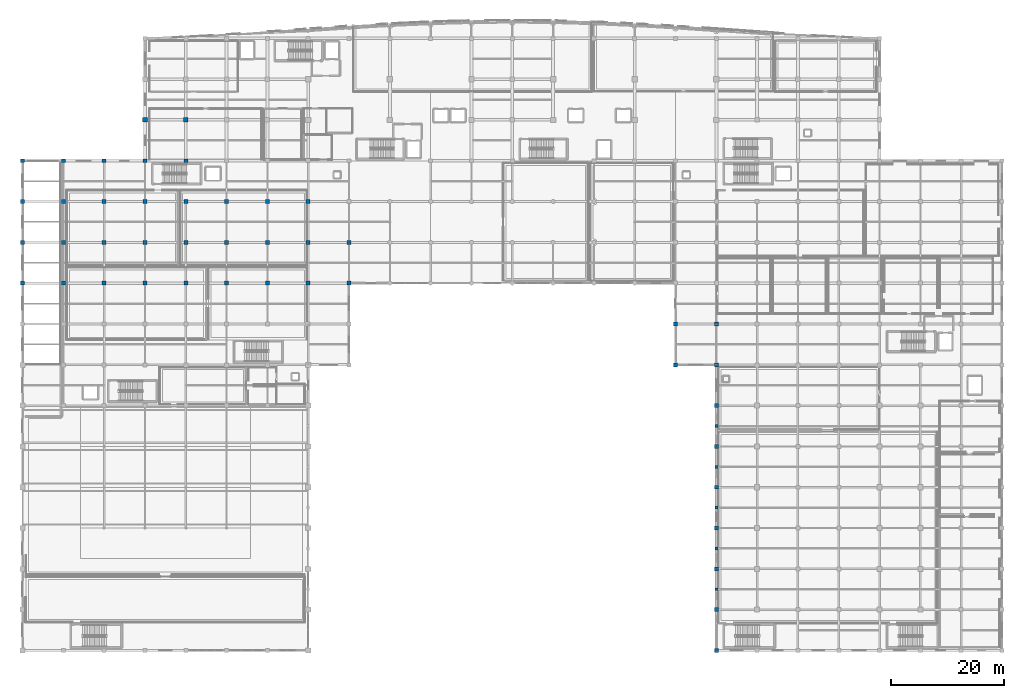
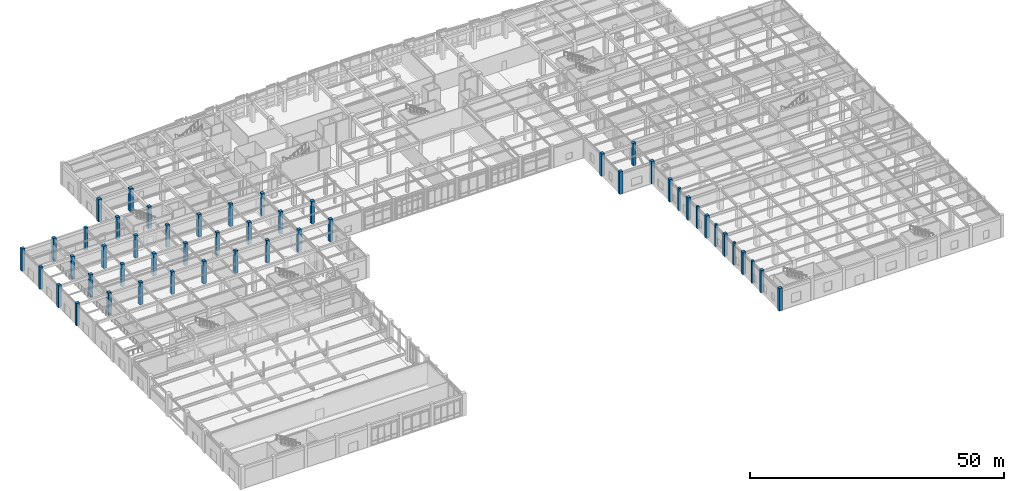
# One storey, part 6 of 102: 49 columns.
"""IFC4 building model written with IfcOpenShell, lengths in metres."""

from ifc_helpers import new_model, si_unit, direction, frame, origin, origin_2d, place, context, subcontext, project, spatial, rectangle, extrude, material, material_profile, profile_set, type_object, element, save


model = new_model("IFC4")

# Units and contexts
model_context = context("Model", 3, precision=1e-05, world=origin(), true_north=direction((0.0, 1.0)))
body_context = subcontext(model_context, "Body", "Model", "MODEL_VIEW")
ifc_project = project(units=[si_unit("LENGTHUNIT", "METRE"), si_unit("AREAUNIT", "SQUARE_METRE"), si_unit("VOLUMEUNIT", "CUBIC_METRE"), si_unit("PLANEANGLEUNIT", "RADIAN"), si_unit("MASSUNIT", "GRAM", prefix="KILO")], contexts=[model_context])

# Site, building, storey
site_placement = place(None, origin())
site = spatial("IfcSite", under=ifc_project, at=site_placement, CompositionType="ELEMENT")
building_placement = place(site_placement, origin())
building = spatial("IfcBuilding", under=site, at=building_placement, Name="Carrowvane Square Congress Hotel", CompositionType="ELEMENT")
storey_placement = place(building_placement, origin())
storey = spatial("IfcBuildingStorey", under=building, at=storey_placement, Name="L00", CompositionType="ELEMENT", Elevation=0.0)

# Columns
ifc_material_1 = material(Name="Concrete C40/50", Category="concrete")
ifc_material_profile_1 = material_profile(ifc_material_1, rectangle(XDim=0.699951171875, YDim=0.699951171875, at=origin_2d()), Name="RC 700x700")
ifc_profile_set_1 = profile_set([ifc_material_profile_1], Name="Concrete C40/50")
column_type_1 = type_object("IfcColumnType", Name="COL-RC-700", PredefinedType="COLUMN", material=ifc_profile_set_1)
for number, where, z_axis, x_axis, name in (
    (1, (11.60009765625, 70.199951171875, 0.0), (0.0, 0.0, 1.0), (1.0, 0.0, 0.0), "L00 column 1/K"),
    (2, (11.60009765625, 77.39990234375, 0.0), (0.0, 0.0, 1.0), (1.0, 0.0, 0.0), "L00 column 1/L"),
    (3, (11.60009765625, 84.60009765625, 0.0), (0.0, 0.0, 1.0), (1.0, 0.0, 0.0), "L00 column 1/M"),
    (4, (11.60009765625, 91.800048828125, 0.0), (0.0, 0.0, 1.0), (1.0, 0.0, 0.0), "L00 column 1/N"),
    (5, (18.800048828125, 70.199951171875, 0.0), (0.0, 0.0, 1.0), (1.0, 0.0, 0.0), "L00 column 2/K"),
    (6, (18.800048828125, 77.39990234375, 0.0), (0.0, 0.0, 1.0), (1.0, 0.0, 0.0), "L00 column 2/L"),
    (7, (18.800048828125, 84.60009765625, 0.0), (0.0, 0.0, 1.0), (1.0, 0.0, 0.0), "L00 column 2/M"),
    (8, (18.800048828125, 91.800048828125, 0.0), (0.0, 0.0, 1.0), (1.0, 0.0, 0.0), "L00 column 2/N"),
    (9, (26.0, 70.199951171875, 0.0), (0.0, 0.0, 1.0), (1.0, 0.0, 0.0), "L00 column 3/K"),
    (10, (26.0, 77.39990234375, 0.0), (0.0, 0.0, 1.0), (1.0, 0.0, 0.0), "L00 column 3/L"),
    (11, (26.0, 84.60009765625, 0.0), (0.0, 0.0, 1.0), (1.0, 0.0, 0.0), "L00 column 3/M"),
    (12, (26.0, 91.800048828125, 0.0), (0.0, 0.0, 1.0), (1.0, 0.0, 0.0), "L00 column 3/N"),
    (13, (33.199951171875, 70.199951171875, 0.0), (0.0, 0.0, 1.0), (1.0, 0.0, 0.0), "L00 column 4/K"),
    (14, (33.199951171875, 77.39990234375, 0.0), (0.0, 0.0, 1.0), (1.0, 0.0, 0.0), "L00 column 4/L"),
    (15, (33.199951171875, 84.60009765625, 0.0), (0.0, 0.0, 1.0), (1.0, 0.0, 0.0), "L00 column 4/M"),
    (16, (33.199951171875, 91.800048828125, 0.0), (0.0, 0.0, 1.0), (1.0, 0.0, 0.0), "L00 column 4/N"),
    (17, (40.39990234375, 70.199951171875, 0.0), (0.0, 0.0, 1.0), (1.0, 0.0, 0.0), "L00 column 5/K"),
    (18, (40.39990234375, 77.39990234375, 0.0), (0.0, 0.0, 1.0), (1.0, 0.0, 0.0), "L00 column 5/L"),
    (19, (40.39990234375, 84.60009765625, 0.0), (0.0, 0.0, 1.0), (1.0, 0.0, 0.0), "L00 column 5/M"),
    (20, (40.39990234375, 91.800048828125, 0.0), (0.0, 0.0, 1.0), (1.0, 0.0, 0.0), "L00 column 5/N"),
    (21, (47.60009765625, 70.199951171875, 0.0), (0.0, 0.0, 1.0), (1.0, 0.0, 0.0), "L00 column 6/K"),
    (22, (47.60009765625, 77.39990234375, 0.0), (0.0, 0.0, 1.0), (1.0, 0.0, 0.0), "L00 column 6/L"),
    (23, (47.60009765625, 84.60009765625, 0.0), (0.0, 0.0, 1.0), (1.0, 0.0, 0.0), "L00 column 6/M"),
    (24, (54.800048828125, 70.199951171875, 0.0), (0.0, 0.0, 1.0), (1.0, 0.0, 0.0), "L00 column 7/K"),
    (25, (54.800048828125, 77.39990234375, 0.0), (0.0, 0.0, 1.0), (1.0, 0.0, 0.0), "L00 column 7/L"),
    (26, (54.800048828125, 84.60009765625, 0.0), (0.0, 0.0, 1.0), (1.0, 0.0, 0.0), "L00 column 7/M"),
    (27, (62.0, 70.199951171875, 0.0), (0.0, 0.0, 1.0), (1.0, 0.0, 0.0), "L00 column 8/K"),
    (28, (62.0, 77.39990234375, 0.0), (0.0, 0.0, 1.0), (1.0, 0.0, 0.0), "L00 column 8/L"),
    (29, (62.0, 84.60009765625, 0.0), (0.0, 0.0, 1.0), (1.0, 0.0, 0.0), "L00 column 8/M"),
    (30, (69.199951171875, 70.199951171875, 0.0), (0.0, 0.0, 1.0), (1.0, 0.0, 0.0), "L00 column 9/K"),
    (31, (69.199951171875, 77.39990234375, 0.0), (0.0, 0.0, 1.0), (1.0, 0.0, 0.0), "L00 column 9/L"),
    (32, (126.800048828125, 55.800048828125, 0.0), (0.0, 0.0, 1.0), (1.0, 0.0, 0.0), "L00 column 17/H"),
    (33, (126.800048828125, 63.0, 0.0), (0.0, 0.0, 1.0), (1.0, 0.0, 0.0), "L00 column 17/J"),
    (34, (134.0, 5.39990234375, 0.0), (0.0, 0.0, 1.0), (1.0, 0.0, 0.0), "L00 column 18/A"),
    (35, (134.0, 12.60009765625, 0.0), (0.0, 0.0, 1.0), (1.0, 0.0, 0.0), "L00 column 18/B"),
    (36, (134.0, 19.800048828125, 0.0), (0.0, 0.0, 1.0), (1.0, 0.0, 0.0), "L00 column 18/C"),
    (37, (134.0, 27.0, 0.0), (0.0, 0.0, 1.0), (1.0, 0.0, 0.0), "L00 column 18/D"),
    (38, (134.0, 34.199951171875, 0.0), (0.0, 0.0, 1.0), (1.0, 0.0, 0.0), "L00 column 18/E"),
    (39, (134.0, 41.39990234375, 0.0), (0.0, 0.0, 1.0), (1.0, 0.0, 0.0), "L00 column 18/F"),
    (40, (134.0, 48.60009765625, 0.0), (0.0, 0.0, 1.0), (1.0, 0.0, 0.0), "L00 column 18/G"),
    (41, (134.0, 55.800048828125, 0.0), (0.0, 0.0, 1.0), (1.0, 0.0, 0.0), "L00 column 18/H"),
    (42, (134.0, 63.0, 0.0), (0.0, 0.0, 1.0), (1.0, 0.0, 0.0), "L00 column 18/J"),
):
    element("IfcColumn", number, at=place(storey_placement, frame(where, z_axis=z_axis, x_axis=x_axis)), inside=storey, type_object=column_type_1, Name=name, PredefinedType="COLUMN", context=body_context, shape_type="SweptSolid", body=[
        extrude(rectangle(XDim=0.699951171875, YDim=0.699951171875, at=origin_2d()), origin(), (0.0, 0.0, 1.0), 5.39990234375),
    ])
ifc_material_2 = material(Name="Concrete C40/50", Category="concrete")
ifc_material_profile_2 = material_profile(ifc_material_2, rectangle(XDim=0.800048828125, YDim=0.800048828125, at=origin_2d()), Name="RC 800x800")
ifc_profile_set_2 = profile_set([ifc_material_profile_2], Name="Concrete C40/50")
column_type_2 = type_object("IfcColumnType", Name="COL-RC-800", PredefinedType="COLUMN", material=ifc_profile_set_2)
for number, where, z_axis, x_axis, name in (
    (43, (33.199951171875, 99.0, 0.0), (0.0, 0.0, 1.0), (1.0, 0.0, 0.0), "L00 column 4/P"),
    (44, (40.39990234375, 99.0, 0.0), (0.0, 0.0, 1.0), (1.0, 0.0, 0.0), "L00 column 5/P"),
):
    element("IfcColumn", number, at=place(storey_placement, frame(where, z_axis=z_axis, x_axis=x_axis)), inside=storey, type_object=column_type_2, Name=name, PredefinedType="COLUMN", context=body_context, shape_type="SweptSolid", body=[
        extrude(rectangle(XDim=0.800048828125, YDim=0.800048828125, at=origin_2d()), origin(), (0.0, 0.0, 1.0), 5.39990234375),
    ])
ifc_material_3 = material(Name="Precast concrete C40/50", Category="concrete")
ifc_material_profile_3 = material_profile(ifc_material_3, rectangle(XDim=0.5, YDim=0.5, at=origin_2d()), Name="RC 500x500")
ifc_profile_set_3 = profile_set([ifc_material_profile_3], Name="Precast concrete C40/50")
column_type_3 = type_object("IfcColumnType", Name="PIL-PC-500", PredefinedType="PILASTER", material=ifc_profile_set_3)
for number, where, z_axis, x_axis, name in (
    (45, (134.0, 16.199951171875, 0.0), (0.0, 0.0, 1.0), (1.0, 0.0, 0.0), "L00 colonnade limestone pilaster 6"),
    (46, (134.0, 23.39990234375, 0.0), (0.0, 0.0, 1.0), (1.0, 0.0, 0.0), "L00 colonnade limestone pilaster 7"),
    (47, (134.0, 30.60009765625, 0.0), (0.0, 0.0, 1.0), (1.0, 0.0, 0.0), "L00 colonnade limestone pilaster 8"),
    (48, (134.0, 37.800048828125, 0.0), (0.0, 0.0, 1.0), (1.0, 0.0, 0.0), "L00 colonnade limestone pilaster 9"),
    (49, (134.0, 45.0, 0.0), (0.0, 0.0, 1.0), (1.0, 0.0, 0.0), "L00 colonnade limestone pilaster 10"),
):
    element("IfcColumn", number, at=place(storey_placement, frame(where, z_axis=z_axis, x_axis=x_axis)), inside=storey, type_object=column_type_3, Name=name, PredefinedType="PILASTER", context=body_context, shape_type="SweptSolid", body=[
        extrude(rectangle(XDim=0.5, YDim=0.5, at=origin_2d()), origin(), (0.0, 0.0, 1.0), 5.39990234375),
    ])

save(model, "model.ifc")
